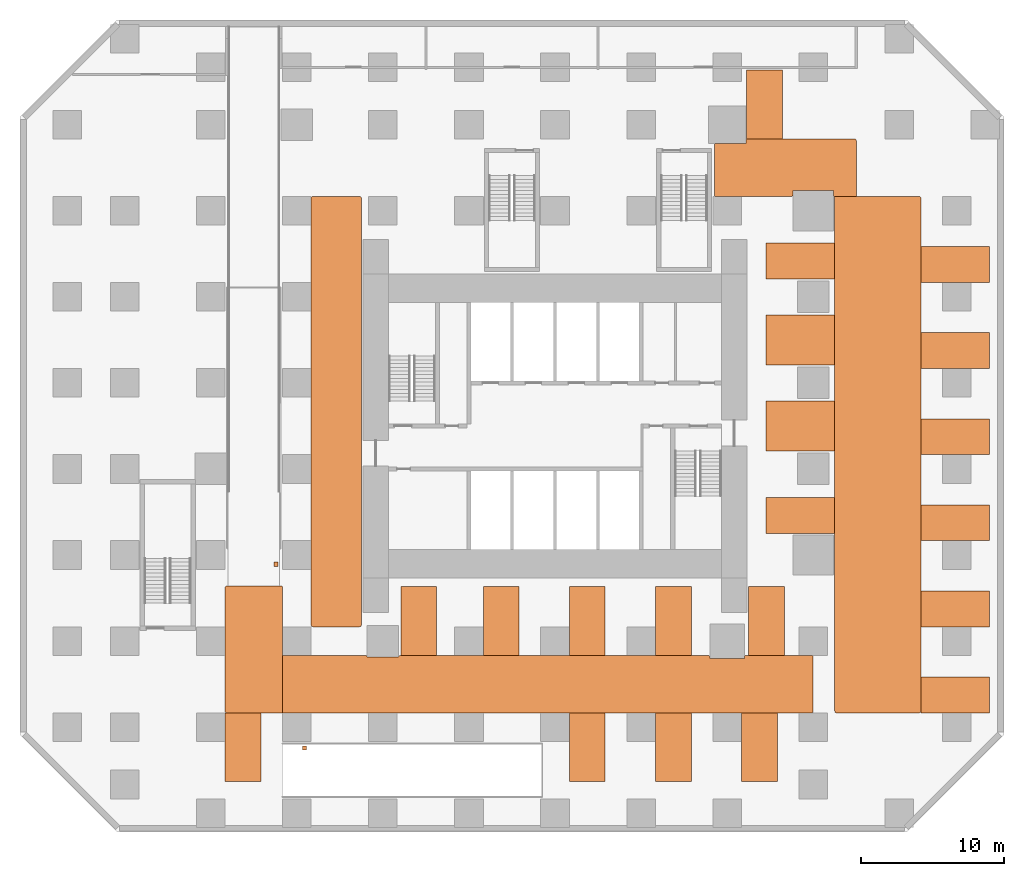
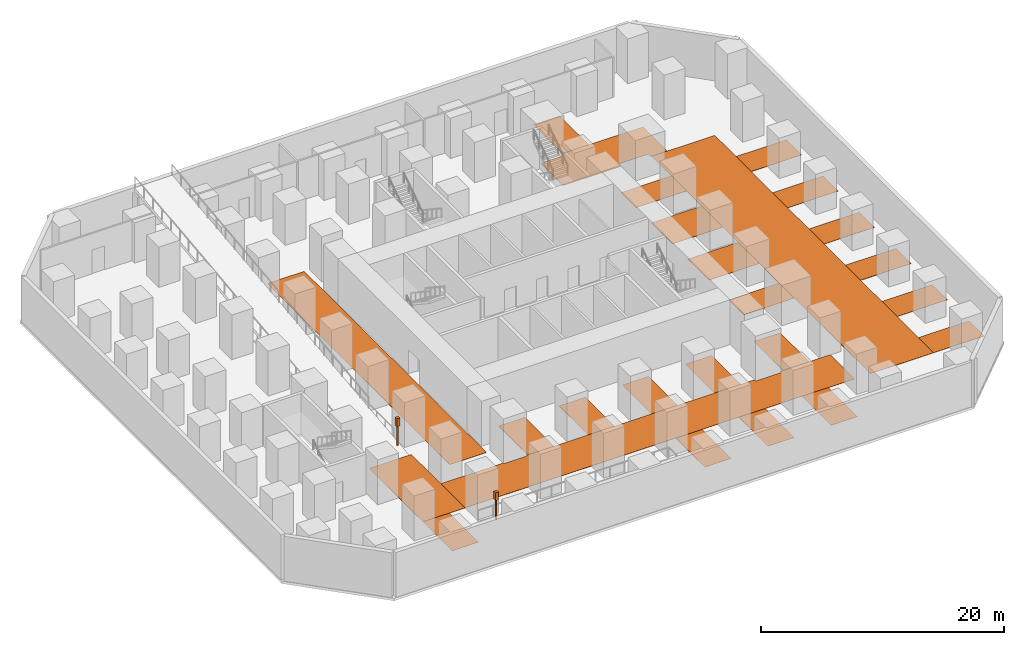
# One storey, part 6 of 6: 27 proxies.
"""IFC4 building model written with IfcOpenShell, lengths in metres."""

from ifc_helpers import new_model, si_unit, direction, frame, origin, origin_2d, place, context, subcontext, project, spatial, polyline, rectangle, outline, extrude, material, type_object, element, save


model = new_model("IFC4")

# Units and contexts
model_context = context("Model", 3, precision=1e-05, world=origin(), true_north=direction((0.0, 1.0)))
body_context = subcontext(model_context, "Body", "Model", "MODEL_VIEW")
ifc_project = project(units=[si_unit("LENGTHUNIT", "METRE"), si_unit("AREAUNIT", "SQUARE_METRE"), si_unit("VOLUMEUNIT", "CUBIC_METRE"), si_unit("PLANEANGLEUNIT", "RADIAN"), si_unit("MASSUNIT", "GRAM", prefix="KILO")], contexts=[model_context])

# Site, building, storey
site_placement = place(None, origin())
site = spatial("IfcSite", under=ifc_project, at=site_placement, CompositionType="ELEMENT")
building_placement = place(site_placement, origin())
building = spatial("IfcBuilding", under=site, at=building_placement, Name="Highveld Stack Headquarters", CompositionType="ELEMENT")
storey_placement = place(building_placement, frame((0.0, 0.0, -4.5)))
storey = spatial("IfcBuildingStorey", under=building, at=storey_placement, Name="B1", CompositionType="ELEMENT", Elevation=-4.5)

# Proxies
ifc_material_1 = material(Name="Marking paint")
building_element_proxy_type_1 = type_object("IfcBuildingElementProxyType", Name="ACCESSIBLE PARKING BAY MARKING", PredefinedType="USERDEFINED", material=ifc_material_1)
proxy_1_placement = place(storey_placement, origin())
element("IfcBuildingElementProxy", 1, at=proxy_1_placement, inside=storey, type_object=building_element_proxy_type_1, Name="Accessible parking bay marking B1-PA1", ObjectType="ACCESSIBLE PARKING BAY MARKING", PredefinedType="USERDEFINED", context=body_context, shape_type="SweptSolid", body=[
    extrude(outline(polyline([(25.5, 1.25), (25.5, 4.75), (20.699951171875, 4.75), (20.699951171875, 1.25), (25.5, 1.25)])), origin(), (0.0, 0.0, 1.0), 0.02001953125),
])
proxy_2_placement = place(storey_placement, origin())
element("IfcBuildingElementProxy", 2, at=proxy_2_placement, inside=storey, type_object=building_element_proxy_type_1, Name="Accessible parking bay marking B1-PA2", ObjectType="ACCESSIBLE PARKING BAY MARKING", PredefinedType="USERDEFINED", context=body_context, shape_type="SweptSolid", body=[
    extrude(outline(polyline([(25.5, 7.25), (25.5, 10.75), (20.699951171875, 10.75), (20.699951171875, 7.25), (25.5, 7.25)])), origin(), (0.0, 0.0, 1.0), 0.02001953125),
])
ifc_material_2 = material(Name="Marking paint")
building_element_proxy_type_2 = type_object("IfcBuildingElementProxyType", Name="CAR PARK DRIVE AISLE MARKING", PredefinedType="USERDEFINED", material=ifc_material_2)
proxy_3_placement = place(storey_placement, origin())
element("IfcBuildingElementProxy", 3, at=proxy_3_placement, inside=storey, type_object=building_element_proxy_type_2, Name="Car park drive aisle marking B1-D1", ObjectType="CAR PARK DRIVE AISLE MARKING", PredefinedType="USERDEFINED", context=body_context, shape_type="SweptSolid", body=[
    extrude(outline(polyline([(-13.10791015625, -8.15087890625), (-13.096923828125, -8.152099609375), (-13.0849609375, -8.155029296875), (-13.073974609375, -8.158935546875), (-13.06298828125, -8.1640625), (-13.052978515625, -8.169921875), (-13.0439453125, -8.177001953125), (-13.034912109375, -8.18505859375), (-13.027099609375, -8.194091796875), (-13.02001953125, -8.202880859375), (-13.013916015625, -8.212890625), (-13.009033203125, -8.22412109375), (-13.0048828125, -8.235107421875), (-13.001953125, -8.2470703125), (-13.0009765625, -8.258056640625), (-13.0, -8.27001953125), (-13.0, -12.9970703125), (-13.0, -17.0), (-16.8798828125, -17.0), (-16.89208984375, -16.9990234375), (-16.903076171875, -16.998046875), (-16.9150390625, -16.9951171875), (-16.926025390625, -16.990966796875), (-16.93701171875, -16.986083984375), (-16.947021484375, -16.97998046875), (-16.9560546875, -16.972900390625), (-16.965087890625, -16.965087890625), (-16.972900390625, -16.9560546875), (-16.97998046875, -16.947021484375), (-16.986083984375, -16.93701171875), (-16.990966796875, -16.926025390625), (-16.9951171875, -16.9150390625), (-16.998046875, -16.903076171875), (-16.9990234375, -16.89208984375), (-17.0, -16.8798828125), (-17.0, -8.27001953125), (-16.9990234375, -8.258056640625), (-16.998046875, -8.2470703125), (-16.9951171875, -8.235107421875), (-16.990966796875, -8.22412109375), (-16.986083984375, -8.212890625), (-16.97998046875, -8.202880859375), (-16.972900390625, -8.194091796875), (-16.965087890625, -8.18505859375), (-16.9560546875, -8.177001953125), (-16.947021484375, -8.169921875), (-16.93701171875, -8.1640625), (-16.926025390625, -8.158935546875), (-16.9150390625, -8.155029296875), (-16.903076171875, -8.152099609375), (-16.89208984375, -8.15087890625), (-16.8798828125, -8.14990234375), (-13.1201171875, -8.14990234375), (-13.10791015625, -8.15087890625)])), origin(), (0.0, 0.0, 1.0), 0.02001953125),
])
proxy_4_placement = place(storey_placement, origin())
element("IfcBuildingElementProxy", 4, at=proxy_4_placement, inside=storey, type_object=building_element_proxy_type_2, Name="Car park drive aisle marking B1-D2", ObjectType="CAR PARK DRIVE AISLE MARKING", PredefinedType="USERDEFINED", context=body_context, shape_type="SweptSolid", body=[
    extrude(outline(polyline([(-7.218017578125, -13.0), (-7.20703125, -13.0009765625), (-7.196044921875, -13.001953125), (-7.18408203125, -13.0048828125), (-7.174072265625, -13.009033203125), (-7.1630859375, -13.012939453125), (-7.154052734375, -13.01904296875), (-7.14404296875, -13.02587890625), (-7.135986328125, -13.032958984375), (-7.1279296875, -13.041015625), (-7.12109375, -13.050048828125), (-7.114013671875, -13.06005859375), (-7.10888671875, -13.070068359375), (-7.10498046875, -13.080078125), (-7.10205078125, -13.091064453125), (-7.10009765625, -13.097900390625), (-7.10009765625, -13.10009765625), (-7.096923828125, -13.10009765625), (-4.903076171875, -13.10009765625), (-4.89990234375, -13.10009765625), (-4.89990234375, -13.097900390625), (-4.89794921875, -13.091064453125), (-4.89501953125, -13.080078125), (-4.89111328125, -13.070068359375), (-4.885986328125, -13.06005859375), (-4.87890625, -13.050048828125), (-4.8720703125, -13.041015625), (-4.864013671875, -13.032958984375), (-4.85595703125, -13.02587890625), (-4.845947265625, -13.01904296875), (-4.8369140625, -13.012939453125), (-4.825927734375, -13.009033203125), (-4.81591796875, -13.0048828125), (-4.803955078125, -13.001953125), (-4.79296875, -13.0009765625), (-4.781982421875, -13.0), (16.679931640625, -13.0), (16.69189453125, -13.0009765625), (16.702880859375, -13.001953125), (16.715087890625, -13.0048828125), (16.72607421875, -13.009033203125), (16.737060546875, -13.013916015625), (16.7470703125, -13.02001953125), (16.756103515625, -13.027099609375), (16.764892578125, -13.034912109375), (16.77294921875, -13.0439453125), (16.780029296875, -13.052978515625), (16.785888671875, -13.06298828125), (16.791015625, -13.073974609375), (16.794921875, -13.0849609375), (16.798095703125, -13.096923828125), (16.799072265625, -13.10791015625), (16.800048828125, -13.1201171875), (16.800048828125, -13.197021484375), (16.800048828125, -13.199951171875), (16.802978515625, -13.199951171875), (19.197021484375, -13.199951171875), (19.199951171875, -13.199951171875), (19.199951171875, -13.197021484375), (19.199951171875, -13.1201171875), (19.200927734375, -13.10791015625), (19.201904296875, -13.096923828125), (19.205078125, -13.0849609375), (19.208984375, -13.073974609375), (19.214111328125, -13.06298828125), (19.219970703125, -13.052978515625), (19.22705078125, -13.0439453125), (19.235107421875, -13.034912109375), (19.243896484375, -13.027099609375), (19.2529296875, -13.02001953125), (19.262939453125, -13.013916015625), (19.27392578125, -13.009033203125), (19.284912109375, -13.0048828125), (19.297119140625, -13.001953125), (19.30810546875, -13.0009765625), (19.320068359375, -13.0), (23.8798828125, -13.0), (23.89208984375, -13.0009765625), (23.903076171875, -13.001953125), (23.9150390625, -13.0048828125), (23.926025390625, -13.009033203125), (23.93701171875, -13.013916015625), (23.947021484375, -13.02001953125), (23.9560546875, -13.027099609375), (23.965087890625, -13.034912109375), (23.972900390625, -13.0439453125), (23.97998046875, -13.052978515625), (23.986083984375, -13.06298828125), (23.990966796875, -13.073974609375), (23.9951171875, -13.0849609375), (23.998046875, -13.096923828125), (23.9990234375, -13.10791015625), (24.0, -13.1201171875), (24.0, -16.8798828125), (23.9990234375, -16.89208984375), (23.998046875, -16.903076171875), (23.9951171875, -16.9150390625), (23.990966796875, -16.926025390625), (23.986083984375, -16.93701171875), (23.97998046875, -16.947021484375), (23.972900390625, -16.9560546875), (23.965087890625, -16.965087890625), (23.9560546875, -16.972900390625), (23.947021484375, -16.97998046875), (23.93701171875, -16.986083984375), (23.926025390625, -16.990966796875), (23.9150390625, -16.9951171875), (23.903076171875, -16.998046875), (23.89208984375, -16.9990234375), (23.8798828125, -17.0), (-16.8798828125, -17.0), (-16.89208984375, -16.9990234375), (-16.903076171875, -16.998046875), (-16.9150390625, -16.9951171875), (-16.926025390625, -16.990966796875), (-16.93701171875, -16.986083984375), (-16.947021484375, -16.97998046875), (-16.9560546875, -16.972900390625), (-16.965087890625, -16.965087890625), (-16.972900390625, -16.9560546875), (-16.97998046875, -16.947021484375), (-16.986083984375, -16.93701171875), (-16.990966796875, -16.926025390625), (-16.9951171875, -16.9150390625), (-16.998046875, -16.903076171875), (-16.9990234375, -16.89208984375), (-17.0, -16.8798828125), (-17.0, -13.0), (-12.9970703125, -13.0), (-7.218017578125, -13.0)])), origin(), (0.0, 0.0, 1.0), 0.02001953125),
])
proxy_5_placement = place(storey_placement, origin())
element("IfcBuildingElementProxy", 5, at=proxy_5_placement, inside=storey, type_object=building_element_proxy_type_2, Name="Car park drive aisle marking B1-D3", ObjectType="CAR PARK DRIVE AISLE MARKING", PredefinedType="USERDEFINED", context=body_context, shape_type="SweptSolid", body=[
    extrude(outline(polyline([(-10.9990234375, 18.89208984375), (-10.998046875, 18.903076171875), (-10.9951171875, 18.9150390625), (-10.990966796875, 18.926025390625), (-10.986083984375, 18.93701171875), (-10.97998046875, 18.947021484375), (-10.972900390625, 18.9560546875), (-10.965087890625, 18.965087890625), (-10.9560546875, 18.972900390625), (-10.947021484375, 18.97998046875), (-10.93701171875, 18.986083984375), (-10.926025390625, 18.990966796875), (-10.9150390625, 18.9951171875), (-10.903076171875, 18.998046875), (-10.89208984375, 18.9990234375), (-10.8798828125, 19.0), (-7.6201171875, 19.0), (-7.60791015625, 18.9990234375), (-7.596923828125, 18.998046875), (-7.5849609375, 18.9951171875), (-7.573974609375, 18.990966796875), (-7.56298828125, 18.986083984375), (-7.552978515625, 18.97998046875), (-7.5439453125, 18.972900390625), (-7.534912109375, 18.965087890625), (-7.527099609375, 18.9560546875), (-7.52001953125, 18.947021484375), (-7.513916015625, 18.93701171875), (-7.509033203125, 18.926025390625), (-7.5048828125, 18.9150390625), (-7.501953125, 18.903076171875), (-7.5009765625, 18.89208984375), (-7.5, 18.8798828125), (-7.5, -10.8798828125), (-7.5009765625, -10.89208984375), (-7.501953125, -10.903076171875), (-7.5048828125, -10.9150390625), (-7.509033203125, -10.926025390625), (-7.513916015625, -10.93701171875), (-7.52001953125, -10.947021484375), (-7.527099609375, -10.9560546875), (-7.534912109375, -10.965087890625), (-7.5439453125, -10.972900390625), (-7.552978515625, -10.97998046875), (-7.56298828125, -10.986083984375), (-7.573974609375, -10.990966796875), (-7.5849609375, -10.9951171875), (-7.596923828125, -10.998046875), (-7.60791015625, -10.9990234375), (-7.6201171875, -11.0), (-10.8798828125, -11.0), (-10.89208984375, -10.9990234375), (-10.903076171875, -10.998046875), (-10.9150390625, -10.9951171875), (-10.926025390625, -10.990966796875), (-10.93701171875, -10.986083984375), (-10.947021484375, -10.97998046875), (-10.9560546875, -10.972900390625), (-10.965087890625, -10.965087890625), (-10.972900390625, -10.9560546875), (-10.97998046875, -10.947021484375), (-10.986083984375, -10.93701171875), (-10.990966796875, -10.926025390625), (-10.9951171875, -10.9150390625), (-10.998046875, -10.903076171875), (-10.9990234375, -10.89208984375), (-11.0, -10.8798828125), (-11.0, 18.8798828125), (-10.9990234375, 18.89208984375)])), origin(), (0.0, 0.0, 1.0), 0.02001953125),
])
proxy_6_placement = place(storey_placement, origin())
element("IfcBuildingElementProxy", 6, at=proxy_6_placement, inside=storey, type_object=building_element_proxy_type_2, Name="Car park drive aisle marking B1-D4", ObjectType="CAR PARK DRIVE AISLE MARKING", PredefinedType="USERDEFINED", context=body_context, shape_type="SweptSolid", body=[
    extrude(outline(polyline([(31.3798828125, 19.0), (31.39208984375, 18.9990234375), (31.403076171875, 18.998046875), (31.4150390625, 18.9951171875), (31.426025390625, 18.990966796875), (31.43701171875, 18.986083984375), (31.447021484375, 18.97998046875), (31.4560546875, 18.972900390625), (31.465087890625, 18.965087890625), (31.472900390625, 18.9560546875), (31.47998046875, 18.947021484375), (31.486083984375, 18.93701171875), (31.490966796875, 18.926025390625), (31.4951171875, 18.9150390625), (31.498046875, 18.903076171875), (31.4990234375, 18.89208984375), (31.5, 18.8798828125), (31.5, -16.8798828125), (31.4990234375, -16.89208984375), (31.498046875, -16.903076171875), (31.4951171875, -16.9150390625), (31.490966796875, -16.926025390625), (31.486083984375, -16.93701171875), (31.47998046875, -16.947021484375), (31.472900390625, -16.9560546875), (31.465087890625, -16.965087890625), (31.4560546875, -16.972900390625), (31.447021484375, -16.97998046875), (31.43701171875, -16.986083984375), (31.426025390625, -16.990966796875), (31.4150390625, -16.9951171875), (31.403076171875, -16.998046875), (31.39208984375, -16.9990234375), (31.3798828125, -17.0), (25.6201171875, -17.0), (25.60791015625, -16.9990234375), (25.596923828125, -16.998046875), (25.5849609375, -16.9951171875), (25.573974609375, -16.990966796875), (25.56298828125, -16.986083984375), (25.552978515625, -16.97998046875), (25.5439453125, -16.972900390625), (25.534912109375, -16.965087890625), (25.527099609375, -16.9560546875), (25.52001953125, -16.947021484375), (25.513916015625, -16.93701171875), (25.509033203125, -16.926025390625), (25.5048828125, -16.9150390625), (25.501953125, -16.903076171875), (25.5009765625, -16.89208984375), (25.5, -16.8798828125), (25.5, 18.9970703125), (25.5, 19.0), (27.0029296875, 19.0), (31.3798828125, 19.0)])), origin(), (0.0, 0.0, 1.0), 0.02001953125),
])
proxy_7_placement = place(storey_placement, origin())
element("IfcBuildingElementProxy", 7, at=proxy_7_placement, inside=storey, type_object=building_element_proxy_type_2, Name="Car park drive aisle marking B1-D5", ObjectType="CAR PARK DRIVE AISLE MARKING", PredefinedType="USERDEFINED", context=body_context, shape_type="SweptSolid", body=[
    extrude(outline(polyline([(17.2080078125, 19.0009765625), (17.197021484375, 19.001953125), (17.18505859375, 19.0048828125), (17.174072265625, 19.009033203125), (17.1630859375, 19.013916015625), (17.153076171875, 19.02001953125), (17.14404296875, 19.027099609375), (17.135009765625, 19.034912109375), (17.126953125, 19.0439453125), (17.1201171875, 19.052978515625), (17.114013671875, 19.06298828125), (17.10888671875, 19.073974609375), (17.10498046875, 19.0849609375), (17.10205078125, 19.096923828125), (17.10107421875, 19.10791015625), (17.10009765625, 19.1201171875), (17.10009765625, 22.580078125), (17.10107421875, 22.592041015625), (17.10205078125, 22.60302734375), (17.10498046875, 22.614990234375), (17.10888671875, 22.6259765625), (17.114013671875, 22.636962890625), (17.1201171875, 22.64697265625), (17.126953125, 22.656005859375), (17.135009765625, 22.6650390625), (17.14404296875, 22.673095703125), (17.153076171875, 22.679931640625), (17.1630859375, 22.68603515625), (17.174072265625, 22.69091796875), (17.18505859375, 22.695068359375), (17.197021484375, 22.697998046875), (17.2080078125, 22.698974609375), (17.219970703125, 22.699951171875), (19.297119140625, 22.699951171875), (19.300048828125, 22.699951171875), (19.300048828125, 22.702880859375), (19.300048828125, 22.8798828125), (19.301025390625, 22.89208984375), (19.302001953125, 22.903076171875), (19.304931640625, 22.9150390625), (19.30908203125, 22.926025390625), (19.31396484375, 22.93701171875), (19.320068359375, 22.947021484375), (19.326904296875, 22.9560546875), (19.3349609375, 22.965087890625), (19.343994140625, 22.972900390625), (19.35302734375, 22.97998046875), (19.363037109375, 22.986083984375), (19.3740234375, 22.990966796875), (19.385009765625, 22.9951171875), (19.39697265625, 22.998046875), (19.407958984375, 22.9990234375), (19.419921875, 23.0), (26.8798828125, 23.0), (26.89208984375, 22.9990234375), (26.903076171875, 22.998046875), (26.9150390625, 22.9951171875), (26.926025390625, 22.990966796875), (26.93701171875, 22.986083984375), (26.947021484375, 22.97998046875), (26.9560546875, 22.972900390625), (26.965087890625, 22.965087890625), (26.972900390625, 22.9560546875), (26.97998046875, 22.947021484375), (26.986083984375, 22.93701171875), (26.990966796875, 22.926025390625), (26.9951171875, 22.9150390625), (26.998046875, 22.903076171875), (26.9990234375, 22.89208984375), (27.0, 22.8798828125), (27.0, 19.0029296875), (27.0, 19.0), (25.4990234375, 19.0), (25.498046875, 19.0), (25.490966796875, 19.001953125), (25.47998046875, 19.0048828125), (25.469970703125, 19.009033203125), (25.4599609375, 19.013916015625), (25.449951171875, 19.02099609375), (25.44091796875, 19.028076171875), (25.43310546875, 19.035888671875), (25.426025390625, 19.0439453125), (25.4189453125, 19.053955078125), (25.4130859375, 19.06298828125), (25.408935546875, 19.073974609375), (25.405029296875, 19.083984375), (25.402099609375, 19.095947265625), (25.40087890625, 19.10693359375), (25.39990234375, 19.117919921875), (25.39990234375, 19.39697265625), (25.39990234375, 19.39990234375), (25.39697265625, 19.39990234375), (22.60302734375, 19.39990234375), (22.60009765625, 19.39990234375), (22.60009765625, 19.39697265625), (22.60009765625, 19.1201171875), (22.59912109375, 19.10791015625), (22.597900390625, 19.096923828125), (22.594970703125, 19.0849609375), (22.591064453125, 19.073974609375), (22.5859375, 19.06298828125), (22.580078125, 19.052978515625), (22.572998046875, 19.0439453125), (22.56494140625, 19.034912109375), (22.555908203125, 19.027099609375), (22.547119140625, 19.02001953125), (22.537109375, 19.013916015625), (22.52587890625, 19.009033203125), (22.514892578125, 19.0048828125), (22.5029296875, 19.001953125), (22.491943359375, 19.0009765625), (22.47998046875, 19.0), (17.219970703125, 19.0), (17.2080078125, 19.0009765625)])), origin(), (0.0, 0.0, 1.0), 0.02001953125),
])
ifc_material_3 = material(Name="Marking paint")
building_element_proxy_type_3 = type_object("IfcBuildingElementProxyType", Name="PARKING BAY MARKING", PredefinedType="USERDEFINED", material=ifc_material_3)
proxy_8_placement = place(storey_placement, origin())
element("IfcBuildingElementProxy", 8, at=proxy_8_placement, inside=storey, type_object=building_element_proxy_type_3, Name="Parking bay marking B1-P01", ObjectType="PARKING BAY MARKING", PredefinedType="USERDEFINED", context=body_context, shape_type="SweptSolid", body=[
    extrude(outline(polyline([(-2.25, -13.0), (-2.25, -8.199951171875), (-4.75, -8.199951171875), (-4.75, -13.0), (-2.25, -13.0)])), origin(), (0.0, 0.0, 1.0), 0.02001953125),
])
proxy_9_placement = place(storey_placement, origin())
element("IfcBuildingElementProxy", 9, at=proxy_9_placement, inside=storey, type_object=building_element_proxy_type_3, Name="Parking bay marking B1-P02", ObjectType="PARKING BAY MARKING", PredefinedType="USERDEFINED", context=body_context, shape_type="SweptSolid", body=[
    extrude(outline(polyline([(3.5, -13.0), (3.5, -8.199951171875), (1.0, -8.199951171875), (1.0, -13.0), (3.5, -13.0)])), origin(), (0.0, 0.0, 1.0), 0.02001953125),
])
proxy_10_placement = place(storey_placement, origin())
element("IfcBuildingElementProxy", 10, at=proxy_10_placement, inside=storey, type_object=building_element_proxy_type_3, Name="Parking bay marking B1-P03", ObjectType="PARKING BAY MARKING", PredefinedType="USERDEFINED", context=body_context, shape_type="SweptSolid", body=[
    extrude(outline(polyline([(9.5, -13.0), (9.5, -8.199951171875), (7.0, -8.199951171875), (7.0, -13.0), (9.5, -13.0)])), origin(), (0.0, 0.0, 1.0), 0.02001953125),
])
proxy_11_placement = place(storey_placement, origin())
element("IfcBuildingElementProxy", 11, at=proxy_11_placement, inside=storey, type_object=building_element_proxy_type_3, Name="Parking bay marking B1-P04", ObjectType="PARKING BAY MARKING", PredefinedType="USERDEFINED", context=body_context, shape_type="SweptSolid", body=[
    extrude(outline(polyline([(15.5, -13.0), (15.5, -8.199951171875), (13.0, -8.199951171875), (13.0, -13.0), (15.5, -13.0)])), origin(), (0.0, 0.0, 1.0), 0.02001953125),
])
proxy_12_placement = place(storey_placement, origin())
element("IfcBuildingElementProxy", 12, at=proxy_12_placement, inside=storey, type_object=building_element_proxy_type_3, Name="Parking bay marking B1-P05", ObjectType="PARKING BAY MARKING", PredefinedType="USERDEFINED", context=body_context, shape_type="SweptSolid", body=[
    extrude(outline(polyline([(22.0, -13.0), (22.0, -8.199951171875), (19.5, -8.199951171875), (19.5, -13.0), (22.0, -13.0)])), origin(), (0.0, 0.0, 1.0), 0.02001953125),
])
proxy_13_placement = place(storey_placement, origin())
element("IfcBuildingElementProxy", 13, at=proxy_13_placement, inside=storey, type_object=building_element_proxy_type_3, Name="Parking bay marking B1-P06", ObjectType="PARKING BAY MARKING", PredefinedType="USERDEFINED", context=body_context, shape_type="SweptSolid", body=[
    extrude(outline(polyline([(-14.5, -21.800048828125), (-14.5, -17.0), (-17.0, -17.0), (-17.0, -21.800048828125), (-14.5, -21.800048828125)])), origin(), (0.0, 0.0, 1.0), 0.02001953125),
])
proxy_14_placement = place(storey_placement, origin())
element("IfcBuildingElementProxy", 14, at=proxy_14_placement, inside=storey, type_object=building_element_proxy_type_3, Name="Parking bay marking B1-P07", ObjectType="PARKING BAY MARKING", PredefinedType="USERDEFINED", context=body_context, shape_type="SweptSolid", body=[
    extrude(outline(polyline([(9.5, -21.800048828125), (9.5, -17.0), (7.0, -17.0), (7.0, -21.800048828125), (9.5, -21.800048828125)])), origin(), (0.0, 0.0, 1.0), 0.02001953125),
])
proxy_15_placement = place(storey_placement, origin())
element("IfcBuildingElementProxy", 15, at=proxy_15_placement, inside=storey, type_object=building_element_proxy_type_3, Name="Parking bay marking B1-P08", ObjectType="PARKING BAY MARKING", PredefinedType="USERDEFINED", context=body_context, shape_type="SweptSolid", body=[
    extrude(outline(polyline([(15.5, -21.800048828125), (15.5, -17.0), (13.0, -17.0), (13.0, -21.800048828125), (15.5, -21.800048828125)])), origin(), (0.0, 0.0, 1.0), 0.02001953125),
])
proxy_16_placement = place(storey_placement, origin())
element("IfcBuildingElementProxy", 16, at=proxy_16_placement, inside=storey, type_object=building_element_proxy_type_3, Name="Parking bay marking B1-P09", ObjectType="PARKING BAY MARKING", PredefinedType="USERDEFINED", context=body_context, shape_type="SweptSolid", body=[
    extrude(outline(polyline([(21.5, -21.800048828125), (21.5, -17.0), (19.0, -17.0), (19.0, -21.800048828125), (21.5, -21.800048828125)])), origin(), (0.0, 0.0, 1.0), 0.02001953125),
])
proxy_17_placement = place(storey_placement, origin())
element("IfcBuildingElementProxy", 17, at=proxy_17_placement, inside=storey, type_object=building_element_proxy_type_3, Name="Parking bay marking B1-P10", ObjectType="PARKING BAY MARKING", PredefinedType="USERDEFINED", context=body_context, shape_type="SweptSolid", body=[
    extrude(outline(polyline([(25.5, -4.5), (25.5, -2.0), (20.699951171875, -2.0), (20.699951171875, -4.5), (25.5, -4.5)])), origin(), (0.0, 0.0, 1.0), 0.02001953125),
])
proxy_18_placement = place(storey_placement, origin())
element("IfcBuildingElementProxy", 18, at=proxy_18_placement, inside=storey, type_object=building_element_proxy_type_3, Name="Parking bay marking B1-P11", ObjectType="PARKING BAY MARKING", PredefinedType="USERDEFINED", context=body_context, shape_type="SweptSolid", body=[
    extrude(outline(polyline([(25.5, 13.25), (25.5, 15.75), (20.699951171875, 15.75), (20.699951171875, 13.25), (25.5, 13.25)])), origin(), (0.0, 0.0, 1.0), 0.02001953125),
])
proxy_19_placement = place(storey_placement, origin())
element("IfcBuildingElementProxy", 19, at=proxy_19_placement, inside=storey, type_object=building_element_proxy_type_3, Name="Parking bay marking B1-P12", ObjectType="PARKING BAY MARKING", PredefinedType="USERDEFINED", context=body_context, shape_type="SweptSolid", body=[
    extrude(outline(polyline([(36.300048828125, -17.0), (36.300048828125, -14.5), (31.5, -14.5), (31.5, -17.0), (36.300048828125, -17.0)])), origin(), (0.0, 0.0, 1.0), 0.02001953125),
])
proxy_20_placement = place(storey_placement, origin())
element("IfcBuildingElementProxy", 20, at=proxy_20_placement, inside=storey, type_object=building_element_proxy_type_3, Name="Parking bay marking B1-P13", ObjectType="PARKING BAY MARKING", PredefinedType="USERDEFINED", context=body_context, shape_type="SweptSolid", body=[
    extrude(outline(polyline([(36.300048828125, -11.0), (36.300048828125, -8.5), (31.5, -8.5), (31.5, -11.0), (36.300048828125, -11.0)])), origin(), (0.0, 0.0, 1.0), 0.02001953125),
])
proxy_21_placement = place(storey_placement, origin())
element("IfcBuildingElementProxy", 21, at=proxy_21_placement, inside=storey, type_object=building_element_proxy_type_3, Name="Parking bay marking B1-P14", ObjectType="PARKING BAY MARKING", PredefinedType="USERDEFINED", context=body_context, shape_type="SweptSolid", body=[
    extrude(outline(polyline([(36.300048828125, -5.0), (36.300048828125, -2.5), (31.5, -2.5), (31.5, -5.0), (36.300048828125, -5.0)])), origin(), (0.0, 0.0, 1.0), 0.02001953125),
])
proxy_22_placement = place(storey_placement, origin())
element("IfcBuildingElementProxy", 22, at=proxy_22_placement, inside=storey, type_object=building_element_proxy_type_3, Name="Parking bay marking B1-P15", ObjectType="PARKING BAY MARKING", PredefinedType="USERDEFINED", context=body_context, shape_type="SweptSolid", body=[
    extrude(outline(polyline([(36.300048828125, 1.0), (36.300048828125, 3.5), (31.5, 3.5), (31.5, 1.0), (36.300048828125, 1.0)])), origin(), (0.0, 0.0, 1.0), 0.02001953125),
])
proxy_23_placement = place(storey_placement, origin())
element("IfcBuildingElementProxy", 23, at=proxy_23_placement, inside=storey, type_object=building_element_proxy_type_3, Name="Parking bay marking B1-P16", ObjectType="PARKING BAY MARKING", PredefinedType="USERDEFINED", context=body_context, shape_type="SweptSolid", body=[
    extrude(outline(polyline([(36.300048828125, 7.0), (36.300048828125, 9.5), (31.5, 9.5), (31.5, 7.0), (36.300048828125, 7.0)])), origin(), (0.0, 0.0, 1.0), 0.02001953125),
])
proxy_24_placement = place(storey_placement, origin())
element("IfcBuildingElementProxy", 24, at=proxy_24_placement, inside=storey, type_object=building_element_proxy_type_3, Name="Parking bay marking B1-P17", ObjectType="PARKING BAY MARKING", PredefinedType="USERDEFINED", context=body_context, shape_type="SweptSolid", body=[
    extrude(outline(polyline([(36.300048828125, 13.0), (36.300048828125, 15.5), (31.5, 15.5), (31.5, 13.0), (36.300048828125, 13.0)])), origin(), (0.0, 0.0, 1.0), 0.02001953125),
])
proxy_25_placement = place(storey_placement, origin())
element("IfcBuildingElementProxy", 25, at=proxy_25_placement, inside=storey, type_object=building_element_proxy_type_3, Name="Parking bay marking B1-P18", ObjectType="PARKING BAY MARKING", PredefinedType="USERDEFINED", context=body_context, shape_type="SweptSolid", body=[
    extrude(outline(polyline([(21.85009765625, 23.0), (21.85009765625, 27.800048828125), (19.35009765625, 27.800048828125), (19.35009765625, 23.0), (21.85009765625, 23.0)])), origin(), (0.0, 0.0, 1.0), 0.02001953125),
])
ifc_material_4 = material(Name="Steel S355", Category="steel")
building_element_proxy_type_4 = type_object("IfcBuildingElementProxyType", Name="TRAFFIC SIGNAL HEAD", PredefinedType="USERDEFINED", material=ifc_material_4)
for number, where, z_axis, x_axis, name in (
    (26, (-13.449951171875, -6.64990234375, 0.18017578125), (0.0, 0.0, 1.0), (1.0, 0.0, 0.0), "Traffic signal R1-S2"),
    (27, (-11.460205078125, -19.449951171875, -0.192138671875), (0.0, 0.0, 1.0), (1.0, 0.0, 0.0), "Traffic signal R2-S1"),
):
    element("IfcBuildingElementProxy", number, at=place(storey_placement, frame(where, z_axis=z_axis, x_axis=x_axis)), inside=storey, type_object=building_element_proxy_type_4, Name=name, ObjectType="TRAFFIC SIGNAL HEAD", PredefinedType="USERDEFINED", context=body_context, shape_type="SweptSolid", body=[
        extrude(rectangle(XDim=0.1201171875, YDim=0.1201171875, at=origin_2d()), origin(), (0.0, 0.0, 1.0), 2.0),
        extrude(rectangle(XDim=0.300048828125, YDim=0.300048828125, at=origin_2d()), frame((0.0, 0.0, 1.9998779296875)), (0.0, 0.0, 1.0), 0.800048828125),
    ])

save(model, "model.ifc")
